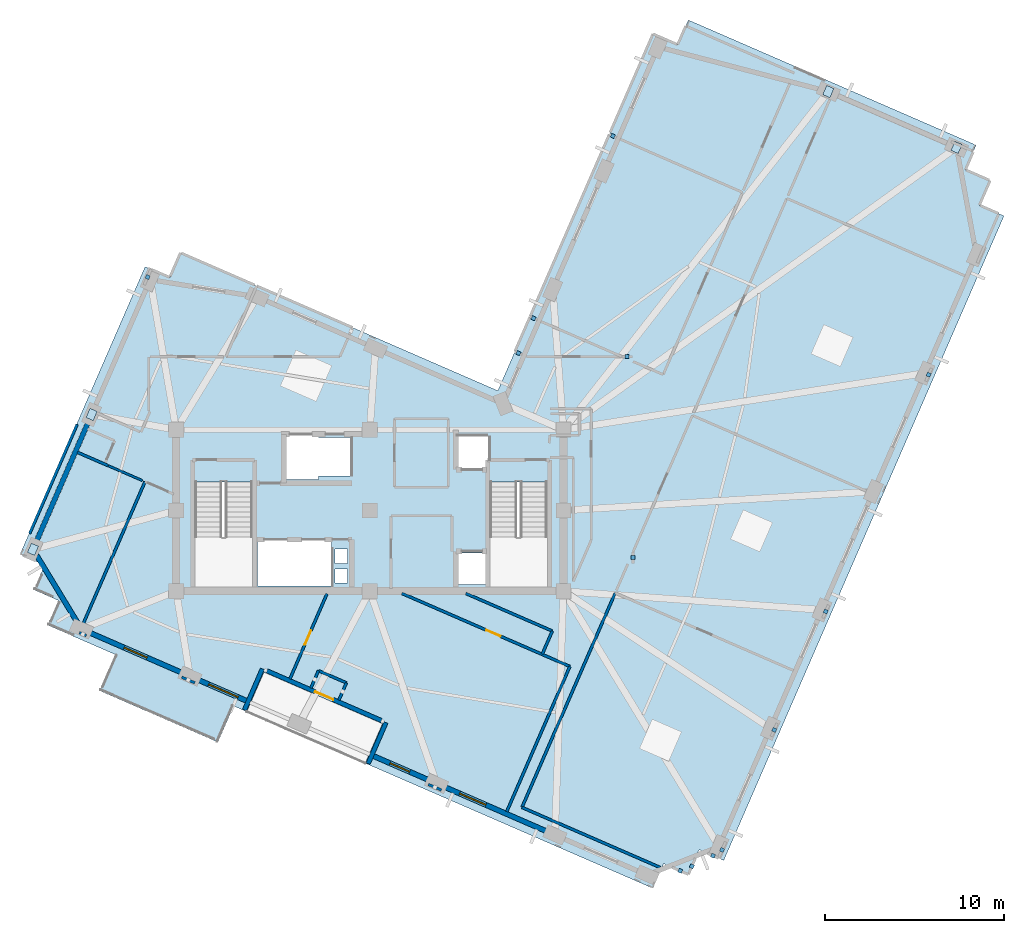
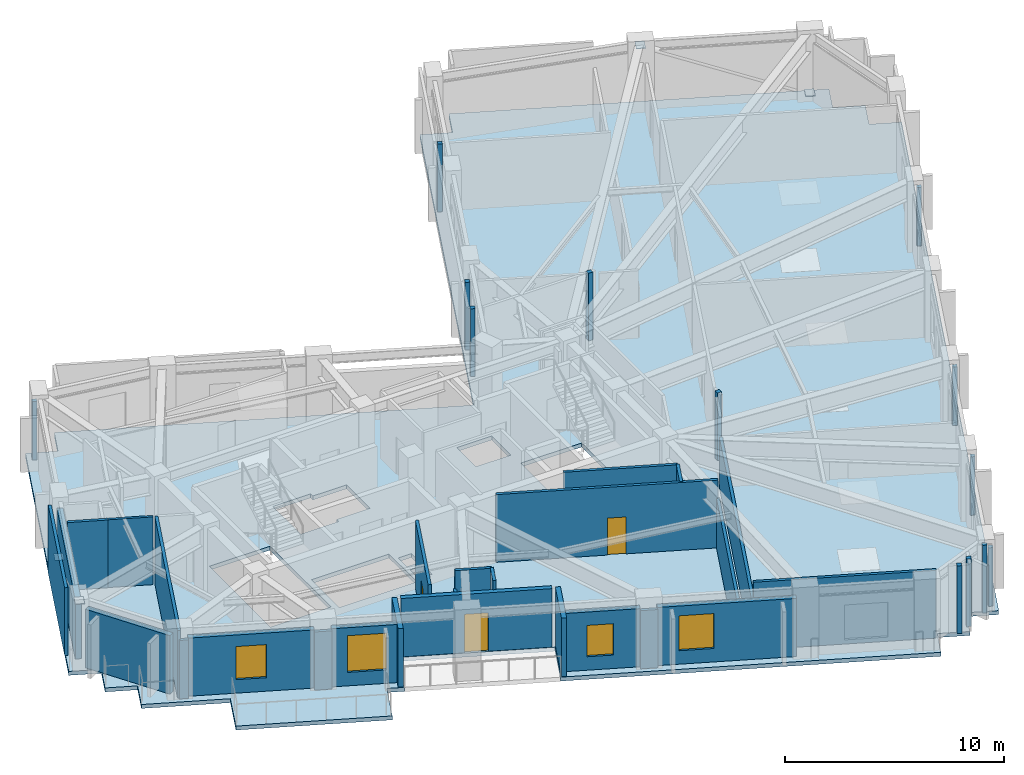
# One storey, part 4 of 12: 26 walls, 17 plates, 4 windows, 3 doors, 1 slab, 7 openings.
"""IFC4 building model written with IfcOpenShell, lengths in metres."""

from ifc_helpers import new_model, si_unit, direction, frame, frame_2d, origin, origin_2d, place, context, subcontext, project, spatial, polyline, rectangle, outline, extrude, material, layer, layer_set, type_object, element, fill, save


model = new_model("IFC4")

# Units and contexts
model_context = context("Model", 3, precision=1e-05, world=origin(), true_north=direction((0.0, 1.0)))
body_context = subcontext(model_context, "Body", "Model", "MODEL_VIEW")
ifc_project = project(units=[si_unit("LENGTHUNIT", "METRE"), si_unit("AREAUNIT", "SQUARE_METRE"), si_unit("VOLUMEUNIT", "CUBIC_METRE"), si_unit("PLANEANGLEUNIT", "RADIAN"), si_unit("MASSUNIT", "GRAM", prefix="KILO")], contexts=[model_context])

# Site, building, storey
site_placement = place(None, origin())
site = spatial("IfcSite", under=ifc_project, at=site_placement, CompositionType="ELEMENT")
building_placement = place(site_placement, origin())
building = spatial("IfcBuilding", under=site, at=building_placement, Name="Gaonmaruhae Medical Tower", CompositionType="ELEMENT")
storey_placement = place(building_placement, frame((0.0, 0.0, 308.60009765625)))
storey = spatial("IfcBuildingStorey", under=building, at=storey_placement, Name="L74", CompositionType="ELEMENT", Elevation=308.60009765625)

# Slab
ifc_material_1 = material(Name="Concrete C40/50", Category="concrete")
ifc_layer_1 = layer(ifc_material_1, 0.219970703125)
ifc_layer_set_1 = layer_set([ifc_layer_1], Name="Concrete C40/50")
slab_type = type_object("IfcSlabType", Name="FS-220 Clinical Ward Composite Floor Slab", PredefinedType="FLOOR", material=ifc_layer_set_1)
slab_placement = place(storey_placement, frame((0.0, 0.0, -0.22021484375)))
element("IfcSlab", 1, at=slab_placement, inside=storey, type_object=slab_type, Name="L74 Structural Slab 1", PredefinedType="FLOOR", context=body_context, shape_type="SweptSolid", body=[
    extrude(outline(polyline([(7.443115234375, 7.276611328125), (6.0673828125, 7.874755859375), (6.665771484375, 9.25048828125), (5.2900390625, 9.848388671875), (12.268310546875, 25.89697265625), (13.643798828125, 25.298828125), (14.241943359375, 26.674560546875), (31.941162109375, 18.978515625), (40.593994140625, 38.87890625), (41.969482421875, 38.28076171875), (42.567626953125, 39.65625), (58.6162109375, 32.67822265625), (58.01806640625, 31.302490234375), (59.393798828125, 30.70458984375), (58.795654296875, 29.328857421875), (60.171142578125, 28.730712890625), (44.540283203125, -7.218017578125), (43.164794921875, -6.619873046875), (42.56640625, -7.995361328125), (41.19091796875, -7.397216796875), (40.5927734375, -8.77294921875), (24.544189453125, -1.794921875), (25.501220703125, 0.406005859375), (18.8984375, 3.277099609375), (17.94140625, 1.076171875), (17.207763671875, 1.395263671875), (16.33056640625, -0.622314453125), (9.727783203125, 2.24853515625), (10.60498046875, 4.26611328125), (6.844970703125, 5.901123046875), (7.443115234375, 7.276611328125)]), holes=[polyline([(23.550048828125, 8.25), (22.85009765625, 8.25), (22.85009765625, 9.050048828125), (23.550048828125, 9.050048828125), (23.550048828125, 8.25)]), polyline([(29.574951171875, 9.925048828125), (31.425048828125, 9.925048828125), (31.425048828125, 8.175048828125), (29.574951171875, 8.175048828125), (29.574951171875, 9.925048828125)]), polyline([(18.550048828125, 10.625), (22.64990234375, 10.625), (22.64990234375, 8.074951171875), (18.550048828125, 8.074951171875), (18.550048828125, 10.625)]), polyline([(23.550048828125, 9.35009765625), (22.85009765625, 9.35009765625), (22.85009765625, 10.14990234375), (23.550048828125, 10.14990234375), (23.550048828125, 9.35009765625)]), polyline([(15.050048828125, 13.889892578125), (18.25, 13.889892578125), (18.25, 8.300048828125), (15.050048828125, 8.300048828125), (15.050048828125, 13.889892578125)]), polyline([(31.5, 13.889892578125), (34.699951171875, 13.889892578125), (34.699951171875, 8.300048828125), (31.5, 8.300048828125), (31.5, 13.889892578125)]), polyline([(23.72509765625, 14.22509765625), (21.949951171875, 14.22509765625), (21.949951171875, 14.02490234375), (19.949951171875, 14.02490234375), (19.949951171875, 16.574951171875), (21.949951171875, 16.574951171875), (21.949951171875, 16.375), (23.72509765625, 16.375), (23.72509765625, 14.22509765625)]), polyline([(31.425048828125, 16.425048828125), (31.425048828125, 14.675048828125), (29.574951171875, 14.675048828125), (29.574951171875, 16.425048828125), (31.425048828125, 16.425048828125)])]), origin(), (0.0, 0.0, 1.0), 0.22021484375),
])

# Plates
ifc_material_2 = material(Name="Steel HSA650 (650 MPa)", Category="steel")
ifc_layer_2 = layer(ifc_material_2, 0.028076171875)
ifc_layer_set_2 = layer_set([ifc_layer_2], Name="Steel HSA650 (650 MPa)")
plate_type_1 = type_object("IfcPlateType", Name="GP-02 Tube Brace End Cap Gusset Plate", PredefinedType="USERDEFINED", material=ifc_layer_set_2)
for number, where, z_axis, x_axis, name in (
    (2, (57.525634765625, 32.552734375, 0.23583984375), (0.0, 0.0, 1.0), (0.398749068925, 0.917060074385, 0.0), "L74 Gusset Cap Plate PLT-L74-PBR-E01A"),
    (3, (50.372802734375, 35.662841796875, 3.515625), (0.0, 0.0, 1.0), (0.398749068925, 0.917060074385, 0.0), "L74 Gusset Cap Plate PLT-L74-PBR-E01B"),
    (4, (9.283447265625, 17.653564453125, 0.23583984375), (0.0, 0.0, 1.0), (0.398749068925, 0.917060074385, 0.0), "L74 Gusset Cap Plate PLT-L74-PBR-N02A"),
    (5, (6.013671875, 10.133544921875, 3.515625), (0.0, 0.0, 1.0), (0.398749068925, 0.917060074385, 0.0), "L74 Gusset Cap Plate PLT-L74-PBR-N02B"),
):
    element("IfcPlate", number, at=place(storey_placement, frame(where, z_axis=z_axis, x_axis=x_axis)), inside=storey, type_object=plate_type_1, Name=name, ObjectType="GUSSET_PLATE", PredefinedType="USERDEFINED", context=body_context, shape_type="SweptSolid", body=[
        extrude(rectangle(XDim=0.56005859375, YDim=0.43994140625, at=origin_2d()), origin(), (0.0, 0.0, 1.0), 0.028076171875),
    ])
ifc_material_3 = material(Name="Anodised aluminium 6063-T6", Category="aluminium")
ifc_layer_3 = layer(ifc_material_3, 0.011962890625)
ifc_layer_set_3 = layer_set([ifc_layer_3], Name="Anodised aluminium 6063-T6")
plate_type_2 = type_object("IfcPlateType", Name="PP-01 Interior Partition Corner Stiffener Plate", PredefinedType="SHEET", material=ifc_layer_set_3)
plate_1_placement = place(storey_placement, frame((42.114501953125, -7.798583984375, 0.0), z_axis=(0.0, 0.0, 1.0), x_axis=(-0.917247878626, 0.398316870288, 0.0)))
element("IfcPlate", 6, at=plate_1_placement, inside=storey, type_object=plate_type_2, Name="L74 Partition Corner Stiffener Plate PLT-L74-JGP-PW008", PredefinedType="SHEET", context=body_context, shape_type="SweptSolid", body=[
    extrude(rectangle(XDim=0.219970703125, YDim=0.219970703125, at=origin_2d()), origin(), (0.0, 0.0, 1.0), 3.780029296875),
])
for number, where, z_axis, x_axis, name in (
    (7, (47.357421875, 0.0625, 0.0), (0.0, 0.0, 1.0), (-0.398765074582, -0.917053114761, 0.0), "L74 Partition Corner Stiffener Plate PLT-L74-JGP-PW012"),
    (8, (44.446044921875, -6.633056640625, 0.0), (0.0, 0.0, 1.0), (-0.399245187787, -0.916844196158, 0.0), "L74 Partition Corner Stiffener Plate PLT-L74-JGP-PW013"),
):
    element("IfcPlate", number, at=place(storey_placement, frame(where, z_axis=z_axis, x_axis=x_axis)), inside=storey, type_object=plate_type_2, Name=name, PredefinedType="SHEET", context=body_context, shape_type="SweptSolid", body=[
        extrude(rectangle(XDim=0.219970703125, YDim=0.219970703125, at=origin_2d()), origin(), (0.0, 0.0, 1.0), 3.264892578125),
    ])
for number, where, z_axis, x_axis, name in (
    (9, (43.94091796875, -6.95703125, 0.0), (0.0, 0.0, 1.0), (-0.917115741319, 0.398621019297, 0.0), "L74 Partition Corner Stiffener Plate PLT-L74-JGP-PW014"),
    (10, (42.763916015625, -7.54248046875, 0.0), (0.0, 0.0, 1.0), (-0.399165176517, -0.916879033383, 0.0), "L74 Partition Corner Stiffener Plate PLT-L74-JGP-PW015"),
    (11, (39.47998046875, 9.6669921875, 0.0), (0.0, 0.0, 1.0), (0.0, 1.0, 0.0), "L74 Partition Corner Stiffener Plate PLT-L74-JGP-PW016"),
):
    element("IfcPlate", number, at=place(storey_placement, frame(where, z_axis=z_axis, x_axis=x_axis)), inside=storey, type_object=plate_type_2, Name=name, PredefinedType="SHEET", context=body_context, shape_type="SweptSolid", body=[
        extrude(rectangle(XDim=0.219970703125, YDim=0.219970703125, at=origin_2d()), origin(), (0.0, 0.0, 1.0), 3.780029296875),
    ])
for number, where, z_axis, x_axis, name in (
    (12, (50.2275390625, 6.66552734375, 0.0), (0.0, 0.0, 1.0), (-0.398765074582, -0.917053114761, 0.0), "L74 Partition Corner Stiffener Plate PLT-L74-JGP-PW019"),
    (13, (55.970458984375, 19.87158203125, 0.0), (0.0, 0.0, 1.0), (-0.398765074582, -0.917053114761, 0.0), "L74 Partition Corner Stiffener Plate PLT-L74-JGP-PW023"),
):
    element("IfcPlate", number, at=place(storey_placement, frame(where, z_axis=z_axis, x_axis=x_axis)), inside=storey, type_object=plate_type_2, Name=name, PredefinedType="SHEET", context=body_context, shape_type="SweptSolid", body=[
        extrude(rectangle(XDim=0.219970703125, YDim=0.219970703125, at=origin_2d()), origin(), (0.0, 0.0, 1.0), 3.264892578125),
    ])
for number, where, z_axis, x_axis, name in (
    (14, (39.155029296875, 20.8798828125, 0.0), (0.0, 0.0, 1.0), (-1.0, 0.0, 0.0), "L74 Partition Corner Stiffener Plate PLT-L74-JGP-PW061"),
    (15, (33.935546875, 23.02099609375, 0.0), (0.0, 0.0, 1.0), (-0.916628049537, 0.399741189774, 0.0), "L74 Partition Corner Stiffener Plate PLT-L74-JGP-PW063"),
    (16, (38.3564453125, 33.18798828125, 0.0), (0.0, 0.0, 1.0), (0.916628049537, -0.399741189774, 0.0), "L74 Partition Corner Stiffener Plate PLT-L74-JGP-PW065"),
):
    element("IfcPlate", number, at=place(storey_placement, frame(where, z_axis=z_axis, x_axis=x_axis)), inside=storey, type_object=plate_type_2, Name=name, PredefinedType="SHEET", context=body_context, shape_type="SweptSolid", body=[
        extrude(rectangle(XDim=0.219970703125, YDim=0.219970703125, at=origin_2d()), origin(), (0.0, 0.0, 1.0), 3.780029296875),
    ])
plate_2_placement = place(storey_placement, frame((12.408935546875, 25.319091796875, 0.0), z_axis=(0.0, 0.0, 1.0), x_axis=(0.399261189676, 0.916837227876, 0.0)))
element("IfcPlate", 17, at=plate_2_placement, inside=storey, type_object=plate_type_2, Name="L74 Partition Corner Stiffener Plate PLT-L74-JGP-PW082", PredefinedType="SHEET", context=body_context, shape_type="SweptSolid", body=[
    extrude(rectangle(XDim=0.219970703125, YDim=0.219970703125, at=origin_2d()), origin(), (0.0, 0.0, 1.0), 3.264892578125),
])
plate_3_placement = place(storey_placement, frame((33.089599609375, 21.074462890625, 0.0), z_axis=(0.0, 0.0, 1.0), x_axis=(-0.917470197664, 0.397804520334, 0.0)))
element("IfcPlate", 18, at=plate_3_placement, inside=storey, type_object=plate_type_2, Name="L74 Partition Corner Stiffener Plate PLT-L74-JGP-PW093", PredefinedType="SHEET", context=body_context, shape_type="SweptSolid", body=[
    extrude(rectangle(XDim=0.219970703125, YDim=0.219970703125, at=origin_2d()), origin(), (0.0, 0.0, 1.0), 3.780029296875),
])

# Wall, opening, door
ifc_material_4 = material(Name="Precast concrete C45/55", Category="concrete")
ifc_layer_4 = layer(ifc_material_4, 0.239990234375)
ifc_layer_set_4 = layer_set([ifc_layer_4], Name="Precast concrete C45/55")
wall_type_1 = type_object("IfcWallType", Name="EW-240 Ribbon & Shelter Insulated Precast Wall", PredefinedType="SOLIDWALL", material=ifc_layer_set_4)
wall_1_placement = place(storey_placement, frame((25.447021484375, 0.58251953125, 0.0), z_axis=(0.0, 0.0, 1.0), x_axis=(-0.917069498579, 0.398727394062, 0.0)))
wall_1 = element("IfcWall", 19, at=wall_1_placement, inside=storey, type_object=wall_type_1, Name="L74 Recessed Terrace Enclosure Wall TERB", PredefinedType="SOLIDWALL", context=body_context, shape_type="SweptSolid", body=[
    extrude(rectangle(XDim=6.9599609375, YDim=0.239990234375, at=frame_2d((3.47998046875, 0.0))), origin(), (0.0, 0.0, 1.0), 3.264892578125),
])
opening_1_placement = place(wall_1_placement, frame((2.929931640625, 0.0, 0.0)))
opening_1 = element("IfcOpeningElement", 20, at=opening_1_placement, cuts=wall_1, Name="Opening TD-01", PredefinedType="OPENING", context=body_context, shape_type="SweptSolid", body=[
    extrude(rectangle(XDim=1.10009765625, YDim=2.14990234375, at=frame_2d((0.550048828125, 1.074951171875))), frame((0.0, 0.1298828125, 0.0), z_axis=(0.0, -1.0, 0.0), x_axis=(1.0, 0.0, 0.0)), (0.0, 0.0, 1.0), 0.260009765625),
])
ifc_material_5 = material(Name="Anodised aluminium and toughened safety glass", Category="aluminium")
door_type_1 = type_object("IfcDoorType", Name="TD-01 Terrace & Sky Garden Glazed Door 1100x2150", OperationType="NOTDEFINED", PredefinedType="DOOR", material=ifc_material_5)
door_1_placement = place(opening_1_placement, origin())
door_1 = element("IfcDoor", 21, at=door_1_placement, inside=storey, type_object=door_type_1, Name="L74 Outdoor Terrace Access Door SLB-L74-TER", OperationType="SINGLE_SWING_LEFT", OverallHeight=2.14990234375, OverallWidth=1.10009765625, PredefinedType="DOOR", context=body_context, shape_type="SweptSolid", body=[
    extrude(rectangle(XDim=1.10009765625, YDim=2.14990234375, at=frame_2d((0.550048828125, 1.074951171875))), frame((0.0, 0.02490234375, 0.0), z_axis=(0.0, -1.0, 0.0), x_axis=(1.0, 0.0, 0.0)), (0.0, 0.0, 1.0), 0.050048828125),
])
fill(opening_1, door_1)

# Walls
wall_2_placement = place(storey_placement, frame((24.706787109375, -1.822021484375, 0.0), z_axis=(0.0, 0.0, 1.0), x_axis=(0.398804665048, 0.917035898499, 0.0)))
element("IfcWall", 22, at=wall_2_placement, inside=storey, type_object=wall_type_1, Name="L74 Recessed Terrace Enclosure Wall TERL", PredefinedType="SOLIDWALL", context=body_context, shape_type="SweptSolid", body=[
    extrude(rectangle(XDim=2.500244140625, YDim=0.239990234375, at=frame_2d((1.25, 0.0))), origin(), (0.0, 0.0, 1.0), 3.264892578125),
])
wall_3_placement = place(storey_placement, frame((18.8076171875, 3.46923828125, 0.0), z_axis=(0.0, 0.0, 1.0), x_axis=(-0.398758251475, -0.917056081644, 0.0)))
element("IfcWall", 23, at=wall_3_placement, inside=storey, type_object=wall_type_1, Name="L74 Recessed Terrace Enclosure Wall TERR", PredefinedType="SOLIDWALL", context=body_context, shape_type="SweptSolid", body=[
    extrude(rectangle(XDim=2.499755859375, YDim=0.239990234375, at=frame_2d((1.25, 0.0))), origin(), (0.0, 0.0, 1.0), 3.264892578125),
])
ifc_layer_5 = layer(ifc_material_4, 0.280029296875)
ifc_layer_set_5 = layer_set([ifc_layer_5], Name="Precast concrete C45/55")
wall_type_2 = type_object("IfcWallType", Name="EW-280 Upper Precast Masonry-Frame Facade Wall", PredefinedType="SOLIDWALL", material=ifc_layer_set_5)
wall_4_placement = place(storey_placement, frame((6.17236328125, 10.498046875, 0.0), z_axis=(0.0, 0.0, 1.0), x_axis=(0.398740578379, 0.917063766133, 0.0)))
element("IfcWall", 24, at=wall_4_placement, inside=storey, type_object=wall_type_2, Name="L74 Precast Masonry-Frame Wall N02-N03", PredefinedType="SOLIDWALL", context=body_context, shape_type="SweptSolid", body=[
    extrude(rectangle(XDim=7.40478515625, YDim=0.280029296875, at=frame_2d((3.702392578125, 0.0))), origin(), (0.0, 0.0, 1.0), 3.264892578125),
])
wall_5_placement = place(storey_placement, frame((8.508544921875, 6.02734375, 0.0), z_axis=(0.0, 0.0, 1.0), x_axis=(-0.51924554751, 0.854625099907, 0.0)))
element("IfcWall", 25, at=wall_5_placement, inside=storey, type_object=wall_type_2, Name="L74 Precast Masonry-Frame Wall N03-W01", PredefinedType="SOLIDWALL", context=body_context, shape_type="SweptSolid", body=[
    extrude(rectangle(XDim=4.406982421875, YDim=0.280029296875, at=frame_2d((2.20361328125, 0.0))), origin(), (0.0, 0.0, 1.0), 3.264892578125),
])

# Wall, opening, window
wall_6_placement = place(storey_placement, frame((14.403076171875, 3.214599609375, 0.0), z_axis=(0.0, 0.0, 1.0), x_axis=(-0.917061363729, 0.398746103624, 0.0)))
wall_6 = element("IfcWall", 26, at=wall_6_placement, inside=storey, type_object=wall_type_2, Name="L74 Precast Masonry-Frame Wall W01-W02", PredefinedType="SOLIDWALL", context=body_context, shape_type="SweptSolid", body=[
    extrude(rectangle(XDim=5.804931640625, YDim=0.280029296875, at=frame_2d((2.90234375, 0.0))), origin(), (0.0, 0.0, 1.0), 3.244873046875),
])
opening_2_placement = place(wall_6_placement, frame((2.202392578125, 0.0, 0.75)))
opening_2 = element("IfcOpeningElement", 27, at=opening_2_placement, cuts=wall_6, Name="Opening WN-03", PredefinedType="OPENING", context=body_context, shape_type="SweptSolid", body=[
    extrude(rectangle(XDim=1.39990234375, YDim=1.85009765625, at=frame_2d((0.699951171875, 0.925048828125))), frame((0.0, 0.14990234375, 0.0), z_axis=(0.0, -1.0, 0.0), x_axis=(1.0, 0.0, 0.0)), (0.0, 0.0, 1.0), 0.300048828125),
])
ifc_material_6 = material(Name="Anodised aluminium and Low-E double glazing", Category="aluminium")
window_type_1 = type_object("IfcWindowType", Name="WN-03 Isolation Ward Punched Window 1400x1850", PartitioningType="SINGLE_PANEL", PredefinedType="WINDOW", material=ifc_material_6)
window_1_placement = place(opening_2_placement, origin())
window_1 = element("IfcWindow", 28, at=window_1_placement, inside=storey, type_object=window_type_1, Name="L74 Modular Facade Window W01", OverallHeight=1.85009765625, OverallWidth=1.39990234375, PartitioningType="SINGLE_PANEL", PredefinedType="WINDOW", context=body_context, shape_type="SweptSolid", body=[
    extrude(rectangle(XDim=1.39990234375, YDim=1.85009765625, at=frame_2d((0.699951171875, 0.925048828125))), frame((0.0, 0.030029296875, 0.0), z_axis=(0.0, -1.0, 0.0), x_axis=(1.0, 0.0, 0.0)), (0.0, 0.0, 1.0), 0.06005859375),
])
fill(opening_2, window_1)

wall_7_placement = place(storey_placement, frame((17.99560546875, 1.65234375, 0.0), z_axis=(0.0, 0.0, 1.0), x_axis=(-0.917057625411, 0.398754701133, 0.0)))
wall_7 = element("IfcWall", 29, at=wall_7_placement, inside=storey, type_object=wall_type_2, Name="L74 Precast Masonry-Frame Wall W02-W03", PredefinedType="SOLIDWALL", context=body_context, shape_type="SweptSolid", body=[
    extrude(rectangle(XDim=3.12255859375, YDim=0.280029296875, at=frame_2d((1.561279296875, 0.0))), origin(), (0.0, 0.0, 1.0), 3.244873046875),
])
opening_3_placement = place(wall_7_placement, frame((0.586181640625, 0.0, 0.75)))
opening_3 = element("IfcOpeningElement", 30, at=opening_3_placement, cuts=wall_7, Name="Opening WN-04", PredefinedType="OPENING", context=body_context, shape_type="SweptSolid", body=[
    extrude(rectangle(XDim=1.800048828125, YDim=2.050048828125, at=frame_2d((0.89990234375, 1.02490234375))), frame((0.0, 0.14990234375, 0.0), z_axis=(0.0, -1.0, 0.0), x_axis=(1.0, 0.0, 0.0)), (0.0, 0.0, 1.0), 0.300048828125),
])
window_type_2 = type_object("IfcWindowType", Name="WN-04 Clinic & Consult Punched Window 1800x2050", PartitioningType="SINGLE_PANEL", PredefinedType="WINDOW", material=ifc_material_6)
window_2_placement = place(opening_3_placement, origin())
window_2 = element("IfcWindow", 31, at=window_2_placement, inside=storey, type_object=window_type_2, Name="L74 Modular Facade Window W02", OverallHeight=2.050048828125, OverallWidth=1.800048828125, PartitioningType="SINGLE_PANEL", PredefinedType="WINDOW", context=body_context, shape_type="SweptSolid", body=[
    extrude(rectangle(XDim=1.800048828125, YDim=2.050048828125, at=frame_2d((0.89990234375, 1.02490234375))), frame((0.0, 0.030029296875, 0.0), z_axis=(0.0, -1.0, 0.0), x_axis=(1.0, 0.0, 0.0)), (0.0, 0.0, 1.0), 0.06005859375),
])
fill(opening_3, window_2)

wall_8_placement = place(storey_placement, frame((28.158935546875, -2.766845703125, 0.0), z_axis=(0.0, 0.0, 1.0), x_axis=(-0.917060138588, 0.398748921268, 0.0)))
wall_8 = element("IfcWall", 32, at=wall_8_placement, inside=storey, type_object=wall_type_2, Name="L74 Precast Masonry-Frame Wall W03-W04", PredefinedType="SOLIDWALL", context=body_context, shape_type="SweptSolid", body=[
    extrude(rectangle(XDim=3.5224609375, YDim=0.280029296875, at=frame_2d((1.76123046875, 0.0))), origin(), (0.0, 0.0, 1.0), 3.244873046875),
])
opening_4_placement = place(wall_8_placement, frame((1.236083984375, 0.0, 0.75)))
opening_4 = element("IfcOpeningElement", 33, at=opening_4_placement, cuts=wall_8, Name="Opening WN-05", PredefinedType="OPENING", context=body_context, shape_type="SweptSolid", body=[
    extrude(rectangle(XDim=1.199951171875, YDim=1.75, at=frame_2d((0.60009765625, 0.875))), frame((0.0, 0.14990234375, 0.0), z_axis=(0.0, -1.0, 0.0), x_axis=(1.0, 0.0, 0.0)), (0.0, 0.0, 1.0), 0.300048828125),
])
window_type_3 = type_object("IfcWindowType", Name="WN-05 Support & Staff Punched Window 1200x1750", PartitioningType="SINGLE_PANEL", PredefinedType="WINDOW", material=ifc_material_6)
window_3_placement = place(opening_4_placement, origin())
window_3 = element("IfcWindow", 34, at=window_3_placement, inside=storey, type_object=window_type_3, Name="L74 Modular Facade Window W03", OverallHeight=1.75, OverallWidth=1.199951171875, PartitioningType="SINGLE_PANEL", PredefinedType="WINDOW", context=body_context, shape_type="SweptSolid", body=[
    extrude(rectangle(XDim=1.199951171875, YDim=1.75, at=frame_2d((0.60009765625, 0.875))), frame((0.0, 0.030029296875, 0.0), z_axis=(0.0, -1.0, 0.0), x_axis=(1.0, 0.0, 0.0)), (0.0, 0.0, 1.0), 0.06005859375),
])
fill(opening_4, window_3)

wall_9_placement = place(storey_placement, frame((34.76171875, -5.6376953125, 0.0), z_axis=(0.0, 0.0, 1.0), x_axis=(-0.917056117272, 0.398758169539, 0.0)))
wall_9 = element("IfcWall", 35, at=wall_9_placement, inside=storey, type_object=wall_type_2, Name="L74 Precast Masonry-Frame Wall W04-W05", PredefinedType="SOLIDWALL", context=body_context, shape_type="SweptSolid", body=[
    extrude(rectangle(XDim=6.40478515625, YDim=0.280029296875, at=frame_2d((3.202392578125, 0.0))), origin(), (0.0, 0.0, 1.0), 3.244873046875),
])
opening_5_placement = place(wall_9_placement, frame((3.80126953125, 0.0, 0.75)))
opening_5 = element("IfcOpeningElement", 36, at=opening_5_placement, cuts=wall_9, Name="Opening WN-01", PredefinedType="OPENING", context=body_context, shape_type="SweptSolid", body=[
    extrude(rectangle(XDim=1.60009765625, YDim=1.949951171875, at=frame_2d((0.800048828125, 0.97509765625))), frame((0.0, 0.14990234375, 0.0), z_axis=(0.0, -1.0, 0.0), x_axis=(1.0, 0.0, 0.0)), (0.0, 0.0, 1.0), 0.300048828125),
])
window_type_4 = type_object("IfcWindowType", Name="WN-01 Ward Punched Acoustic Window 1600x1950", PartitioningType="SINGLE_PANEL", PredefinedType="WINDOW", material=ifc_material_6)
window_4_placement = place(opening_5_placement, origin())
window_4 = element("IfcWindow", 37, at=window_4_placement, inside=storey, type_object=window_type_4, Name="L74 Modular Facade Window W04", OverallHeight=1.949951171875, OverallWidth=1.60009765625, PartitioningType="SINGLE_PANEL", PredefinedType="WINDOW", context=body_context, shape_type="SweptSolid", body=[
    extrude(rectangle(XDim=1.60009765625, YDim=1.949951171875, at=frame_2d((0.800048828125, 0.97509765625))), frame((0.0, 0.030029296875, 0.0), z_axis=(0.0, -1.0, 0.0), x_axis=(1.0, 0.0, 0.0)), (0.0, 0.0, 1.0), 0.06005859375),
])
fill(opening_5, window_4)

# Walls
ifc_material_7 = material(Name="Gypsum board partition", Category="gypsum")
ifc_layer_6 = layer(ifc_material_7, 0.125)
ifc_layer_set_6 = layer_set([ifc_layer_6], Name="Gypsum board partition")
wall_type_3 = type_object("IfcWallType", Name="PW-125 Ward & En-Suite Acoustic Partition", PredefinedType="PARTITIONING", material=ifc_layer_set_6)
wall_10_placement = place(storey_placement, frame((10.219970703125, 14.79296875, 0.0), z_axis=(0.0, 0.0, 1.0), x_axis=(0.916985473765, -0.398920594735, 0.0)))
element("IfcWall", 38, at=wall_10_placement, inside=storey, type_object=wall_type_3, Name="L74 Interior Partition L74-ENS01-51", PredefinedType="PARTITIONING", context=body_context, shape_type="SweptSolid", body=[
    extrude(rectangle(XDim=2.0654296875, YDim=0.125, at=frame_2d((1.03271484375, 0.0))), origin(), (0.0, 0.0, 1.0), 3.77978515625),
])
ifc_layer_7 = layer(ifc_material_7, 0.14990234375)
ifc_layer_set_7 = layer_set([ifc_layer_7], Name="Gypsum board partition")
wall_type_4 = type_object("IfcWallType", Name="PW-150 Rated Clinical Corridor Partition", PredefinedType="PARTITIONING", material=ifc_layer_set_7)
wall_11_placement = place(storey_placement, frame((41.0, -7.614990234375, 0.0), z_axis=(0.0, 0.0, 1.0), x_axis=(-0.917025755435, 0.398827987821, 0.0)))
element("IfcWall", 39, at=wall_11_placement, inside=storey, type_object=wall_type_4, Name="L74 Interior Partition L74-SUP01-9", PredefinedType="PARTITIONING", context=body_context, shape_type="SweptSolid", body=[
    extrude(rectangle(XDim=8.412109375, YDim=0.14990234375, at=frame_2d((4.2060546875, 0.0))), origin(), (0.0, 0.0, 1.0), 3.77978515625),
])
wall_12_placement = place(storey_placement, frame((33.285888671875, -4.260009765625, 0.0), z_axis=(0.0, 0.0, 1.0), x_axis=(0.398794571869, 0.9170402878, 0.0)))
element("IfcWall", 40, at=wall_12_placement, inside=storey, type_object=wall_type_4, Name="L74 Interior Partition L74-SUP01-10", PredefinedType="PARTITIONING", context=body_context, shape_type="SweptSolid", body=[
    extrude(rectangle(XDim=13.039794921875, YDim=0.14990234375, at=frame_2d((6.52001953125, 0.0))), origin(), (0.0, 0.0, 1.0), 2.764892578125),
])
wall_13_placement = place(storey_placement, frame((28.7958984375, -3.294921875, 0.0), z_axis=(0.0, 0.0, 1.0), x_axis=(-0.91709935105, 0.398658726612, 0.0)))
element("IfcWall", 41, at=wall_13_placement, inside=storey, type_object=wall_type_4, Name="L74 Interior Partition L74-WOF05-31", PredefinedType="PARTITIONING", context=body_context, shape_type="SweptSolid", body=[
    extrude(rectangle(XDim=0.794921875, YDim=0.14990234375, at=frame_2d((0.3974609375, 0.0))), origin(), (0.0, 0.0, 1.0), 3.244873046875),
])
wall_14_placement = place(storey_placement, frame((23.072998046875, 1.718017578125, 0.0), z_axis=(0.0, 0.0, 1.0), x_axis=(0.398743025997, 0.917062701901, 0.0)))
element("IfcWall", 42, at=wall_14_placement, inside=storey, type_object=wall_type_4, Name="L74 Interior Partition L74-WOF05-32", PredefinedType="PARTITIONING", context=body_context, shape_type="SweptSolid", body=[
    extrude(rectangle(XDim=1.0556640625, YDim=0.14990234375, at=frame_2d((0.52783203125, 0.0))), origin(), (0.0, 0.0, 1.0), 3.77978515625),
])
wall_15_placement = place(storey_placement, frame((23.493896484375, 2.68603515625, 0.0), z_axis=(0.0, 0.0, 1.0), x_axis=(-0.917022099739, 0.398836393262, 0.0)))
element("IfcWall", 43, at=wall_15_placement, inside=storey, type_object=wall_type_4, Name="L74 Interior Partition L74-WOF05-33", PredefinedType="PARTITIONING", context=body_context, shape_type="SweptSolid", body=[
    extrude(rectangle(XDim=1.699951171875, YDim=0.14990234375, at=frame_2d((0.85009765625, 0.0))), origin(), (0.0, 0.0, 1.0), 3.77978515625),
])
wall_16_placement = place(storey_placement, frame((21.93505859375, 3.364013671875, 0.0), z_axis=(0.0, 0.0, 1.0), x_axis=(-0.398937514446, -0.916978112916, 0.0)))
element("IfcWall", 44, at=wall_16_placement, inside=storey, type_object=wall_type_4, Name="L74 Interior Partition L74-WOF05-34", PredefinedType="PARTITIONING", context=body_context, shape_type="SweptSolid", body=[
    extrude(rectangle(XDim=1.0556640625, YDim=0.14990234375, at=frame_2d((0.52783203125, 0.0))), origin(), (0.0, 0.0, 1.0), 2.744873046875),
])

# Wall, opening, door
wall_17_placement = place(storey_placement, frame((20.344970703125, 2.905029296875, 0.0), z_axis=(0.0, 0.0, 1.0), x_axis=(0.398819215719, 0.917029570501, 0.0)))
wall_17 = element("IfcWall", 45, at=wall_17_placement, inside=storey, type_object=wall_type_4, Name="L74 Interior Partition L74-WOF05-35", PredefinedType="PARTITIONING", context=body_context, shape_type="SweptSolid", body=[
    extrude(rectangle(XDim=5.177734375, YDim=0.14990234375, at=frame_2d((2.5888671875, 0.0))), origin(), (0.0, 0.0, 1.0), 3.77978515625),
])
opening_6_placement = place(wall_17_placement, frame((2.0751953125, 0.0, 0.0)))
opening_6 = element("IfcOpeningElement", 46, at=opening_6_placement, cuts=wall_17, Name="Opening AD-01", PredefinedType="OPENING", context=body_context, shape_type="SweptSolid", body=[
    extrude(rectangle(XDim=0.860107421875, YDim=2.06005859375, at=frame_2d((0.43017578125, 1.030029296875))), frame((0.0, 0.0849609375, 0.0), z_axis=(0.0, -1.0, 0.0), x_axis=(1.0, 0.0, 0.0)), (0.0, 0.0, 1.0), 0.169921875),
])
ifc_material_8 = material(Name="Powder-coated steel access door", Category="steel")
door_type_2 = type_object("IfcDoorType", Name="AD-01 Riser & Closet Access Fire Door 860x2060", OperationType="NOTDEFINED", PredefinedType="DOOR", material=ifc_material_8)
door_2_placement = place(opening_6_placement, origin())
door_2 = element("IfcDoor", 47, at=door_2_placement, inside=storey, type_object=door_type_2, Name="L74 Ward Physician Reporting Office Sliding Door", OperationType="SLIDING_TO_LEFT", OverallHeight=2.06005859375, OverallWidth=0.860107421875, PredefinedType="DOOR", context=body_context, shape_type="SweptSolid", body=[
    extrude(rectangle(XDim=0.860107421875, YDim=2.06005859375, at=frame_2d((0.43017578125, 1.030029296875))), frame((0.0, 0.02490234375, 0.0), z_axis=(0.0, -1.0, 0.0), x_axis=(1.0, 0.0, 0.0)), (0.0, 0.0, 1.0), 0.050048828125),
])
fill(opening_6, door_2)

wall_18_placement = place(storey_placement, frame((26.589111328125, 7.675048828125, 0.0), z_axis=(0.0, 0.0, 1.0), x_axis=(0.917085632944, -0.398690283112, 0.0)))
wall_18 = element("IfcWall", 48, at=wall_18_placement, inside=storey, type_object=wall_type_4, Name="L74 Interior Partition L74-WOF05-36", PredefinedType="PARTITIONING", context=body_context, shape_type="SweptSolid", body=[
    extrude(rectangle(XDim=10.216064453125, YDim=0.14990234375, at=frame_2d((5.10791015625, 0.0))), origin(), (0.0, 0.0, 1.0), 3.77978515625),
])
opening_7_placement = place(wall_18_placement, frame((5.130615234375, 0.0, 0.0)))
opening_7 = element("IfcOpeningElement", 49, at=opening_7_placement, cuts=wall_18, Name="Opening AD-01", PredefinedType="OPENING", context=body_context, shape_type="SweptSolid", body=[
    extrude(rectangle(XDim=0.860107421875, YDim=2.06005859375, at=frame_2d((0.43017578125, 1.030029296875))), frame((0.0, 0.0849609375, 0.0), z_axis=(0.0, -1.0, 0.0), x_axis=(1.0, 0.0, 0.0)), (0.0, 0.0, 1.0), 0.169921875),
])
door_3_placement = place(opening_7_placement, origin())
door_3 = element("IfcDoor", 50, at=door_3_placement, inside=storey, type_object=door_type_2, Name="L74 Clinical Case Review Office Sliding Door", OperationType="SLIDING_TO_LEFT", OverallHeight=2.06005859375, OverallWidth=0.860107421875, PredefinedType="DOOR", context=body_context, shape_type="SweptSolid", body=[
    extrude(rectangle(XDim=0.860107421875, YDim=2.06005859375, at=frame_2d((0.43017578125, 1.030029296875))), frame((0.0, 0.02490234375, 0.0), z_axis=(0.0, -1.0, 0.0), x_axis=(1.0, 0.0, 0.0)), (0.0, 0.0, 1.0), 0.050048828125),
])
fill(opening_7, door_3)

# Walls
wall_19_placement = place(storey_placement, frame((35.9580078125, 3.60205078125, 0.0), z_axis=(0.0, 0.0, 1.0), x_axis=(-0.398756424957, -0.917056875857, 0.0)))
element("IfcWall", 51, at=wall_19_placement, inside=storey, type_object=wall_type_4, Name="L74 Interior Partition L74-WOF05-37", PredefinedType="PARTITIONING", context=body_context, shape_type="SweptSolid", body=[
    extrude(rectangle(XDim=8.8349609375, YDim=0.14990234375, at=frame_2d((4.41748046875, 0.0))), origin(), (0.0, 0.0, 1.0), 2.764892578125),
])
wall_20_placement = place(storey_placement, frame((15.041015625, 2.68701171875, 0.0), z_axis=(0.0, 0.0, 1.0), x_axis=(-0.917294270683, 0.398210021186, 0.0)))
element("IfcWall", 52, at=wall_20_placement, inside=storey, type_object=wall_type_4, Name="L74 Interior Partition L74-WOF06-38", PredefinedType="PARTITIONING", context=body_context, shape_type="SweptSolid", body=[
    extrude(rectangle(XDim=0.7958984375, YDim=0.14990234375, at=frame_2d((0.39794921875, 0.0))), origin(), (0.0, 0.0, 1.0), 3.244873046875),
])
wall_21_placement = place(storey_placement, frame((8.988037109375, 5.318115234375, 0.0), z_axis=(0.0, 0.0, 1.0), x_axis=(-0.916831392251, 0.399274589954, 0.0)))
element("IfcWall", 53, at=wall_21_placement, inside=storey, type_object=wall_type_4, Name="L74 Interior Partition L74-WOF06-39", PredefinedType="PARTITIONING", context=body_context, shape_type="SweptSolid", body=[
    extrude(rectangle(XDim=0.423095703125, YDim=0.14990234375, at=frame_2d((0.21142578125, 0.0))), origin(), (0.0, 0.0, 1.0), 3.264892578125),
])
wall_22_placement = place(storey_placement, frame((8.60009765625, 5.487060546875, 0.0), z_axis=(0.0, 0.0, 1.0), x_axis=(0.398808773401, 0.917034111829, 0.0)))
element("IfcWall", 54, at=wall_22_placement, inside=storey, type_object=wall_type_4, Name="L74 Interior Partition L74-WOF06-40", PredefinedType="PARTITIONING", context=body_context, shape_type="SweptSolid", body=[
    extrude(rectangle(XDim=9.179443359375, YDim=0.14990234375, at=frame_2d((4.58984375, 0.0))), origin(), (0.0, 0.0, 1.0), 3.77978515625),
])
wall_23_placement = place(storey_placement, frame((8.491943359375, 15.5439453125, 0.0), z_axis=(0.0, 0.0, 1.0), x_axis=(0.917176199692, -0.398481892585, 0.0)))
element("IfcWall", 55, at=wall_23_placement, inside=storey, type_object=wall_type_4, Name="L74 Interior Partition L74-BR01-44", PredefinedType="PARTITIONING", context=body_context, shape_type="SweptSolid", body=[
    extrude(rectangle(XDim=1.8642578125, YDim=0.14990234375, at=frame_2d((0.93212890625, 0.0))), origin(), (0.0, 0.0, 1.0), 3.77978515625),
])
wall_24_placement = place(storey_placement, frame((30.14990234375, 7.675048828125, 0.0), z_axis=(0.0, 0.0, 1.0), x_axis=(0.917103960726, -0.398648122059, 0.0)))
element("IfcWall", 56, at=wall_24_placement, inside=storey, type_object=wall_type_4, Name="L74 Interior Partition L74-RM01-87", PredefinedType="PARTITIONING", context=body_context, shape_type="SweptSolid", body=[
    extrude(rectangle(XDim=5.265625, YDim=0.14990234375, at=frame_2d((2.6328125, 0.0))), origin(), (0.0, 0.0, 1.0), 3.77978515625),
])
wall_25_placement = place(storey_placement, frame((34.97900390625, 5.575927734375, 0.0), z_axis=(0.0, 0.0, 1.0), x_axis=(-0.399236039494, -0.916848179782, 0.0)))
element("IfcWall", 57, at=wall_25_placement, inside=storey, type_object=wall_type_4, Name="L74 Interior Partition L74-RM01-88", PredefinedType="PARTITIONING", context=body_context, shape_type="SweptSolid", body=[
    extrude(rectangle(XDim=1.400390625, YDim=0.14990234375, at=frame_2d((0.7001953125, 0.0))), origin(), (0.0, 0.0, 1.0), 3.77978515625),
])
wall_26_placement = place(storey_placement, frame((5.827880859375, 11.010009765625, 0.0), z_axis=(0.0, 0.0, 1.0), x_axis=(0.398767783479, 0.917051936838, 0.0)))
element("IfcWall", 58, at=wall_26_placement, inside=storey, type_object=wall_type_4, Name="L74 Interior Partition L74-RM02-89", PredefinedType="PARTITIONING", context=body_context, shape_type="SweptSolid", body=[
    extrude(rectangle(XDim=6.640869140625, YDim=0.14990234375, at=frame_2d((3.3203125, 0.0))), origin(), (0.0, 0.0, 1.0), 3.77978515625),
])

save(model, "model.ifc")
